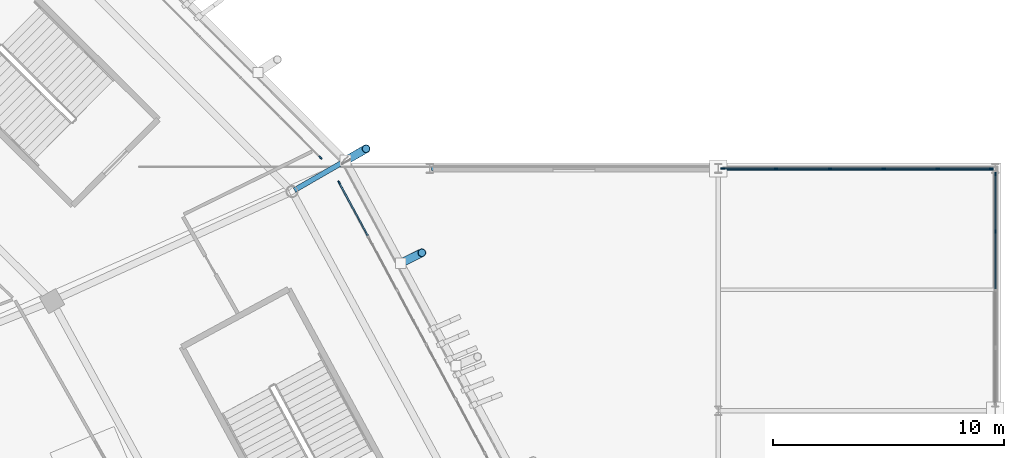
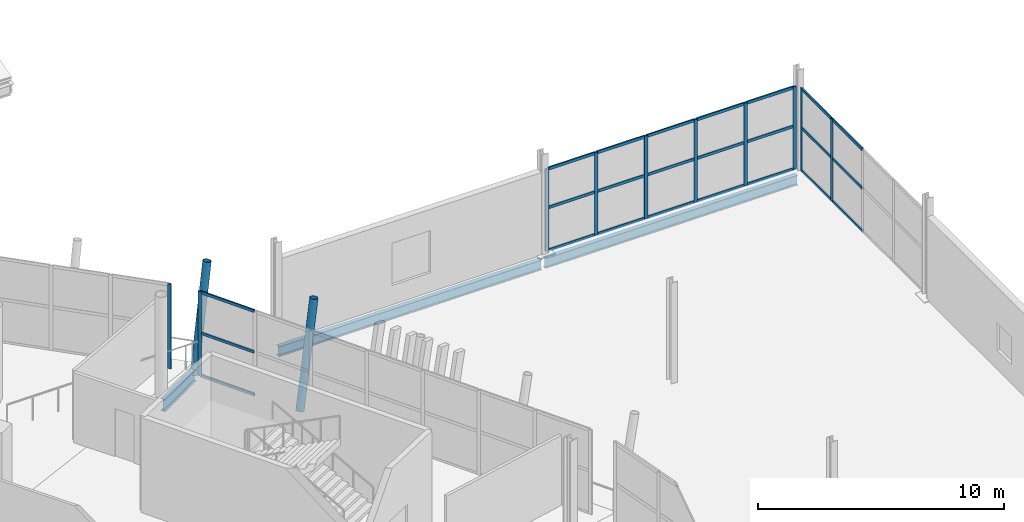
# One storey, part 69 of 179: 36 members, 3 beams, 4 elements without a shape of their own.
"""IFC4 building model written with IfcOpenShell, lengths in metres."""

import ifcopenshell
import ifcopenshell.guid

model = None  # the IFC model being written
_history = None  # IfcOwnerHistory: only IFC2X3 demands one
_inside = {}  # id of a spatial element -> (the spatial element, [elements in it])
_under = {}  # id of a project, library or spatial element -> (it, [spatial elements below it])
_declared = {}  # id of a project -> (the project, [libraries it declares])
_typed = {}  # id of a type object -> (the type object, [elements of that type])
_made_of = {}  # id of a material, layer set ... -> (it, [elements and type objects made of it])


def new_model(schema):
    """Start an empty IFC model of exactly this schema.

    Asked for "IFC4X3", IfcOpenShell would pick the latest addendum, in which some entities
    have other attributes; the version numbers below select the first issue.
    IFC2X3 requires an IfcOwnerHistory on every rooted entity: one is made here for all.
    """
    global model, _history
    if schema == "IFC4X3":
        model = ifcopenshell.file(schema_version=(4, 3, 0, 0))
    else:
        model = ifcopenshell.file(schema=schema)
    _inside.clear()
    _under.clear()
    _declared.clear()
    _typed.clear()
    _made_of.clear()
    _history = None
    if model.schema == "IFC2X3":
        org = make("IfcOrganization", Name="unknown")
        user = make(
            "IfcPersonAndOrganization",
            ThePerson=make("IfcPerson", FamilyName="unknown"),
            TheOrganization=org,
        )
        app = make(
            "IfcApplication",
            ApplicationDeveloper=org,
            Version="unknown",
            ApplicationFullName="unknown",
            ApplicationIdentifier="unknown",
        )
        _history = make(
            "IfcOwnerHistory",
            OwningUser=user,
            OwningApplication=app,
            ChangeAction="ADDED",
            CreationDate=0,
        )
    return model


def make(cls, **values):
    """One entity of the class cls with the attributes given. An attribute that is None is left unset."""
    return model.create_entity(
        cls, **{name: value for name, value in values.items() if value is not None}
    )


def rooted(cls, **values):
    """An entity with a GlobalId (a new one), such as an element, a storey or a relation."""
    return make(cls, GlobalId=ifcopenshell.guid.new(), OwnerHistory=_history, **values)


def si_unit(unit_type, name, prefix=None):
    """IfcSIUnit, for example si_unit("LENGTHUNIT", "METRE", prefix="MILLI")."""
    return make("IfcSIUnit", UnitType=unit_type, Prefix=prefix, Name=name)


def assignment(units):
    """IfcUnitAssignment: the units of a project."""
    return None if units is None else make("IfcUnitAssignment", Units=units)


def point(xyz):
    """IfcCartesianPoint."""
    return None if xyz is None else make("IfcCartesianPoint", Coordinates=xyz)


def direction(xyz):
    """IfcDirection."""
    return None if xyz is None else make("IfcDirection", DirectionRatios=xyz)


def frame(location, z_axis=None, x_axis=None):
    """IfcAxis2Placement3D, a coordinate frame: its origin and axes. An axis left out is left unset."""
    return make(
        "IfcAxis2Placement3D",
        Location=point(location),
        Axis=direction(z_axis),
        RefDirection=direction(x_axis),
    )


def frame_2d(location, x_axis=None):
    """IfcAxis2Placement2D, a coordinate frame in the plane: its origin and x axis."""
    return make(
        "IfcAxis2Placement2D", Location=point(location), RefDirection=direction(x_axis)
    )


def origin():
    """The frame at (0, 0, 0) with its axes left unset."""
    return frame((0.0, 0.0, 0.0))


def origin_2d():
    """The frame at (0, 0) in the plane with its x axis left unset."""
    return frame_2d((0.0, 0.0))


def place(relative_to, where):
    """IfcLocalPlacement: puts the frame where relative to a parent placement (None: the world)."""
    return make(
        "IfcLocalPlacement", PlacementRelTo=relative_to, RelativePlacement=where
    )


def context(
    kind, dimensions, precision=None, world=None, true_north=None, identifier=None
):
    """IfcGeometricRepresentationContext, for example the 3D "Model" context."""
    return make(
        "IfcGeometricRepresentationContext",
        ContextIdentifier=identifier,
        ContextType=kind,
        CoordinateSpaceDimension=dimensions,
        Precision=precision,
        WorldCoordinateSystem=world,
        TrueNorth=true_north,
    )


def subcontext(parent, identifier, kind, view, scale=None):
    """IfcGeometricRepresentationSubContext, for example "Body" below "Model"."""
    return make(
        "IfcGeometricRepresentationSubContext",
        ContextIdentifier=identifier,
        ContextType=kind,
        ParentContext=parent,
        TargetScale=scale,
        TargetView=view,
    )


def project(units=None, contexts=None):
    """IfcProject with its units and contexts."""
    return rooted(
        "IfcProject",
        Name="project",
        RepresentationContexts=contexts,
        UnitsInContext=assignment(units),
    )


def spatial(cls, under=None, at=None, **own):
    """A site, building, storey or space (cls), placed at a placement, below another one or the project."""
    s = rooted(cls, ObjectPlacement=at, **own)
    if under is not None:
        _under.setdefault(under.id(), (under, []))[1].append(s)
    return s


def profile(cls, at=None, kind="AREA", **sizes):
    """A parametric profile (cls). Its sizes go by their IFC names, for example OverallWidth=200.0."""
    return make(cls, ProfileType=kind, Position=at, **sizes)


def rectangle(**sizes):
    """IfcRectangleProfileDef."""
    return profile("IfcRectangleProfileDef", **sizes)


def hollow_circle(**sizes):
    """IfcCircleHollowProfileDef."""
    return profile("IfcCircleHollowProfileDef", **sizes)


def i_section(**sizes):
    """IfcIShapeProfileDef."""
    return profile("IfcIShapeProfileDef", **sizes)


def extrude(swept, where, along, depth):
    """IfcExtrudedAreaSolid: the profile swept, set in the frame where, extruded along a direction by depth."""
    return make(
        "IfcExtrudedAreaSolid",
        SweptArea=swept,
        Position=where,
        ExtrudedDirection=direction(along),
        Depth=depth,
    )


def shape(context_of_items, identifier, shape_type, items):
    """IfcShapeRepresentation: the items that make up one representation, for example the "Body"."""
    return make(
        "IfcShapeRepresentation",
        ContextOfItems=context_of_items,
        RepresentationIdentifier=identifier,
        RepresentationType=shape_type,
        Items=items,
    )


def material(Name=None, Category=None):
    """IfcMaterial."""
    return make("IfcMaterial", Name=Name, Category=Category)


def material_profile(
    of_material, cross_section, Name=None, Category=None, Priority=None
):
    """IfcMaterialProfile: a cross section and its material."""
    return make(
        "IfcMaterialProfile",
        Name=Name,
        Material=of_material,
        Profile=cross_section,
        Priority=Priority,
        Category=Category,
    )


def profile_set(profiles, Name=None, composite=None):
    """IfcMaterialProfileSet."""
    return make(
        "IfcMaterialProfileSet",
        Name=Name,
        MaterialProfiles=profiles,
        CompositeProfile=composite,
    )


def made_of(thing, what):
    """Note that an element or type object is made of a material, layer set ...; save() writes the relation."""
    if what is not None:
        _made_of.setdefault(what.id(), (what, []))[1].append(thing)
    return thing


def type_object(cls, material=None, **own):
    """A type object (cls), such as IfcWallType, which elements share."""
    return made_of(rooted(cls, **own), material)


def element(
    cls,
    number,
    at=None,
    inside=None,
    cuts=None,
    type_object=None,
    material=None,
    context=None,
    identifier="Body",
    shape_type=None,
    held_by="IfcProductDefinitionShape",
    body=None,
    shapes=None,
    **own,
):
    """One element of the class cls, such as IfcWall. Its Tag is "e" and its number.

    at: its placement. inside: the storey or other place that contains it. cuts: it is an
    opening in that element (IfcRelVoidsElement). A single representation is given by context,
    identifier, shape_type and body (its items); several are given by shapes. held_by: the class
    of the entity that holds the representations. save() writes the other relations.
    """
    e = rooted(cls, Tag="e%d" % number, ObjectPlacement=at, **own)
    if body is not None:
        shapes = [shape(context, identifier, shape_type, body)]
    if shapes is not None:
        e.Representation = make(held_by, Representations=shapes)
    if inside is not None:
        _inside.setdefault(inside.id(), (inside, []))[1].append(e)
    if cuts is not None:
        rooted(
            "IfcRelVoidsElement", RelatingBuildingElement=cuts, RelatedOpeningElement=e
        )
    if type_object is not None:
        _typed.setdefault(type_object.id(), (type_object, []))[1].append(e)
    return made_of(e, material)


def aggregate(whole, parts):
    """IfcRelAggregates: a whole, such as a stair, and the parts it consists of."""
    return rooted("IfcRelAggregates", RelatingObject=whole, RelatedObjects=parts)


def save(model, path):
    """Write the relations noted so far, then the file.

    IfcRelAggregates (storeys below a building ...), IfcRelContainedInSpatialStructure (elements
    in a storey), IfcRelDefinesByType, IfcRelAssociatesMaterial and IfcRelDeclares: one each for
    every whole, place, type object, material and project.
    """
    for whole, parts in _under.values():
        aggregate(whole, parts)
    for where, things in _inside.values():
        rooted(
            "IfcRelContainedInSpatialStructure",
            RelatedElements=things,
            RelatingStructure=where,
        )
    for kind, things in _typed.values():
        rooted("IfcRelDefinesByType", RelatedObjects=things, RelatingType=kind)
    for what, things in _made_of.values():
        rooted("IfcRelAssociatesMaterial", RelatedObjects=things, RelatingMaterial=what)
    for by, libraries in _declared.values():
        rooted("IfcRelDeclares", RelatingContext=by, RelatedDefinitions=libraries)
    model.write(path)


model = new_model("IFC4")

# Units and contexts
model_context = context("Model", 3, precision=1e-05, world=origin(), true_north=direction((0.0, 1.0)))
body_context = subcontext(model_context, "Body", "Model", "MODEL_VIEW")
ifc_project = project(units=[si_unit("LENGTHUNIT", "METRE"), si_unit("AREAUNIT", "SQUARE_METRE"), si_unit("VOLUMEUNIT", "CUBIC_METRE"), si_unit("PLANEANGLEUNIT", "RADIAN"), si_unit("MASSUNIT", "GRAM", prefix="KILO")], contexts=[model_context])

# Site, building, storey
site_placement = place(None, origin())
site = spatial("IfcSite", under=ifc_project, at=site_placement, CompositionType="ELEMENT")
building_placement = place(site_placement, origin())
building = spatial("IfcBuilding", under=site, at=building_placement, Name="Zlatoyarsky Gate Stadium", CompositionType="ELEMENT")
storey_placement = place(building_placement, frame((0.0, 0.0, 10.60009765625)))
storey = spatial("IfcBuildingStorey", under=building, at=storey_placement, Name="L02", CompositionType="ELEMENT", Elevation=10.60009765625)

# Curtain wall, member
ifc_material_1 = material(Name="Thermally broken anodised aluminium curtain wall", Category="aluminium")
curtain_wall_type_1 = type_object("IfcCurtainWallType", Name="UNITISED HOSPITALITY GLAZING L02", PredefinedType="USERDEFINED", material=ifc_material_1)
curtain_wall_1_placement = place(storey_placement, origin())
curtain_wall_1 = element("IfcCurtainWall", 1, at=curtain_wall_1_placement, inside=storey, type_object=curtain_wall_type_1, Name="Curtain wall CW-L02-01", ObjectType="UNITISED GLAZING", PredefinedType="USERDEFINED")
ifc_material_2 = material(Name="Anodised aluminium 6063-T6", Category="aluminium")
ifc_material_profile_1 = material_profile(ifc_material_2, rectangle(XDim=0.06494140625, YDim=0.159912109375, at=origin_2d()), Name="ALU 65X160")
ifc_profile_set_1 = profile_set([ifc_material_profile_1], Name="Anodised aluminium 6063-T6")
member_type_1 = type_object("IfcMemberType", Name="ALUMINIUM MULLION 65X160", PredefinedType="MULLION", material=ifc_profile_set_1)
member_1_placement = place(storey_placement, frame((193.575439453125, 115.88720703125, 0.0), z_axis=(0.0, 0.0, 1.0), x_axis=(-0.880235853856, -0.474536449165, 0.0)))
member_1 = element("IfcMember", 2, at=member_1_placement, type_object=member_type_1, Name="CW-UG2 mullion 8", PredefinedType="MULLION", context=body_context, shape_type="SweptSolid", body=[
    extrude(rectangle(XDim=0.06494140625, YDim=0.159912109375, at=origin_2d()), origin(), (0.0, 0.0, 1.0), 4.199951171875),
])

curtain_wall_2_placement = place(storey_placement, origin())
curtain_wall_2 = element("IfcCurtainWall", 3, at=curtain_wall_2_placement, inside=storey, type_object=curtain_wall_type_1, Name="Curtain wall CW-L02-02", ObjectType="UNITISED GLAZING", PredefinedType="USERDEFINED")
member_2_placement = place(storey_placement, frame((192.769287109375, 116.970703125, 0.0), z_axis=(0.0, 0.0, 1.0), x_axis=(-0.707587678066, -0.706625557031, 0.0)))
member_2 = element("IfcMember", 4, at=member_2_placement, type_object=member_type_1, Name="CW-UG2 mullion 1", PredefinedType="MULLION", context=body_context, shape_type="SweptSolid", body=[
    extrude(rectangle(XDim=0.06494140625, YDim=0.159912109375, at=origin_2d()), origin(), (0.0, 0.0, 1.0), 4.199951171875),
])
aggregate(curtain_wall_2, [member_2])

# Curtain wall, members
curtain_wall_type_2 = type_object("IfcCurtainWallType", Name="WINTER GARDEN CONSERVATORY GLAZING", PredefinedType="USERDEFINED", material=ifc_material_1)
curtain_wall_3_placement = place(storey_placement, origin())
curtain_wall_3 = element("IfcCurtainWall", 5, at=curtain_wall_3_placement, inside=storey, type_object=curtain_wall_type_2, Name="Curtain wall CW-V5_EAST-L02-185", ObjectType="UNITISED GLAZING", PredefinedType="USERDEFINED")
member_3_placement = place(storey_placement, frame((222.0, 113.76904296875, 0.0), z_axis=(0.0, 0.0, 1.0), x_axis=(-1.0, 0.0, 0.0)))
member_3 = element("IfcMember", 6, at=member_3_placement, type_object=member_type_1, Name="CW-WG1 mullion 4", PredefinedType="MULLION", context=body_context, shape_type="SweptSolid", body=[
    extrude(rectangle(XDim=0.06494140625, YDim=0.159912109375, at=origin_2d()), origin(), (0.0, 0.0, 1.0), 4.099853515625),
])
member_4_placement = place(storey_placement, frame((222.0, 116.255615234375, 0.0), z_axis=(0.0, 0.0, 1.0), x_axis=(-1.0, 0.0, 0.0)))
member_4 = element("IfcMember", 7, at=member_4_placement, type_object=member_type_1, Name="CW-WG1 mullion 5", PredefinedType="MULLION", context=body_context, shape_type="SweptSolid", body=[
    extrude(rectangle(XDim=0.06494140625, YDim=0.159912109375, at=origin_2d()), origin(), (0.0, 0.0, 1.0), 4.099853515625),
])

curtain_wall_4_placement = place(storey_placement, origin())
curtain_wall_4 = element("IfcCurtainWall", 8, at=curtain_wall_4_placement, inside=storey, type_object=curtain_wall_type_2, Name="Curtain wall CW-V5_EAST-L02-191", ObjectType="UNITISED GLAZING", PredefinedType="USERDEFINED")
member_5_placement = place(storey_placement, frame((210.194580078125, 116.5, 0.0), z_axis=(0.0, 0.0, 1.0), x_axis=(0.0, 1.0, 0.0)))
member_5 = element("IfcMember", 9, at=member_5_placement, type_object=member_type_1, Name="CW-WG1 mullion 1", PredefinedType="MULLION", context=body_context, shape_type="SweptSolid", body=[
    extrude(rectangle(XDim=0.06494140625, YDim=0.159912109375, at=origin_2d()), origin(), (0.0, 0.0, 1.0), 4.099853515625),
])
member_6_placement = place(storey_placement, frame((212.497314453125, 116.5, 0.0), z_axis=(0.0, 0.0, 1.0), x_axis=(0.0, 1.0, 0.0)))
member_6 = element("IfcMember", 10, at=member_6_placement, type_object=member_type_1, Name="CW-WG1 mullion 2", PredefinedType="MULLION", context=body_context, shape_type="SweptSolid", body=[
    extrude(rectangle(XDim=0.06494140625, YDim=0.159912109375, at=origin_2d()), origin(), (0.0, 0.0, 1.0), 4.099853515625),
])
member_7_placement = place(storey_placement, frame((214.83251953125, 116.5, 0.0), z_axis=(0.0, 0.0, 1.0), x_axis=(0.0, 1.0, 0.0)))
member_7 = element("IfcMember", 11, at=member_7_placement, type_object=member_type_1, Name="CW-WG1 mullion 3", PredefinedType="MULLION", context=body_context, shape_type="SweptSolid", body=[
    extrude(rectangle(XDim=0.06494140625, YDim=0.159912109375, at=origin_2d()), origin(), (0.0, 0.0, 1.0), 4.099853515625),
])
member_8_placement = place(storey_placement, frame((217.16748046875, 116.5, 0.0), z_axis=(0.0, 0.0, 1.0), x_axis=(0.0, 1.0, 0.0)))
member_8 = element("IfcMember", 12, at=member_8_placement, type_object=member_type_1, Name="CW-WG1 mullion 4", PredefinedType="MULLION", context=body_context, shape_type="SweptSolid", body=[
    extrude(rectangle(XDim=0.06494140625, YDim=0.159912109375, at=origin_2d()), origin(), (0.0, 0.0, 1.0), 4.099853515625),
])
member_9_placement = place(storey_placement, frame((219.502685546875, 116.5, 0.0), z_axis=(0.0, 0.0, 1.0), x_axis=(0.0, 1.0, 0.0)))
member_9 = element("IfcMember", 13, at=member_9_placement, type_object=member_type_1, Name="CW-WG1 mullion 5", PredefinedType="MULLION", context=body_context, shape_type="SweptSolid", body=[
    extrude(rectangle(XDim=0.06494140625, YDim=0.159912109375, at=origin_2d()), origin(), (0.0, 0.0, 1.0), 4.099853515625),
])
member_10_placement = place(storey_placement, frame((221.805419921875, 116.5, 0.0), z_axis=(0.0, 0.0, 1.0), x_axis=(0.0, 1.0, 0.0)))
member_10 = element("IfcMember", 14, at=member_10_placement, type_object=member_type_1, Name="CW-WG1 mullion 6", PredefinedType="MULLION", context=body_context, shape_type="SweptSolid", body=[
    extrude(rectangle(XDim=0.06494140625, YDim=0.159912109375, at=origin_2d()), origin(), (0.0, 0.0, 1.0), 4.099853515625),
])

# Member
ifc_material_profile_2 = material_profile(ifc_material_2, rectangle(XDim=0.06494140625, YDim=0.139892578125, at=origin_2d()), Name="ALU 65X140")
ifc_profile_set_2 = profile_set([ifc_material_profile_2], Name="Anodised aluminium 6063-T6")
member_type_2 = type_object("IfcMemberType", Name="ALUMINIUM TRANSOM 65X140", PredefinedType="USERDEFINED", material=ifc_profile_set_2)
member_11_placement = place(storey_placement, frame((194.811767578125, 113.593505859375, 0.032470703125), z_axis=(-0.474518480893, 0.880245540341, 0.0), x_axis=(-0.880245540341, -0.474518480893, 0.0)))
member_11 = element("IfcMember", 15, at=member_11_placement, type_object=member_type_2, Name="CW-UG2 transom 7.1", ObjectType="TRANSOM", PredefinedType="USERDEFINED", context=body_context, shape_type="SweptSolid", body=[
    extrude(rectangle(XDim=0.06494140625, YDim=0.139892578125, at=origin_2d()), origin(), (0.0, 0.0, 1.0), 2.572998046875),
])

member_12_placement = place(storey_placement, frame((194.811767578125, 113.593505859375, 2.14990234375), z_axis=(-0.474518480893, 0.880245540341, 0.0), x_axis=(-0.880245540341, -0.474518480893, 0.0)))
member_12 = element("IfcMember", 16, at=member_12_placement, type_object=member_type_2, Name="CW-UG2 transom 7.2", ObjectType="TRANSOM", PredefinedType="USERDEFINED", context=body_context, shape_type="SweptSolid", body=[
    extrude(rectangle(XDim=0.06494140625, YDim=0.139892578125, at=origin_2d()), origin(), (0.0, 0.0, 1.0), 2.572998046875),
])

member_13_placement = place(storey_placement, frame((194.811767578125, 113.593505859375, 4.16748046875), z_axis=(-0.474518480893, 0.880245540341, 0.0), x_axis=(-0.880245540341, -0.474518480893, 0.0)))
member_13 = element("IfcMember", 17, at=member_13_placement, type_object=member_type_2, Name="CW-UG2 transom 7.3", ObjectType="TRANSOM", PredefinedType="USERDEFINED", context=body_context, shape_type="SweptSolid", body=[
    extrude(rectangle(XDim=0.06494140625, YDim=0.139892578125, at=origin_2d()), origin(), (0.0, 0.0, 1.0), 2.572998046875),
])

aggregate(curtain_wall_1, [member_1, member_11, member_12, member_13])

member_14_placement = place(storey_placement, frame((222.0, 111.282470703125, 0.032470703125), z_axis=(0.0, 1.0, 0.0), x_axis=(-1.0, 0.0, 0.0)))
member_14 = element("IfcMember", 18, at=member_14_placement, type_object=member_type_2, Name="CW-WG1 transom 3.1", ObjectType="TRANSOM", PredefinedType="USERDEFINED", context=body_context, shape_type="SweptSolid", body=[
    extrude(rectangle(XDim=0.06494140625, YDim=0.139892578125, at=origin_2d()), origin(), (0.0, 0.0, 1.0), 2.4541015625),
])

member_15_placement = place(storey_placement, frame((222.0, 111.282470703125, 2.14990234375), z_axis=(0.0, 1.0, 0.0), x_axis=(-1.0, 0.0, 0.0)))
member_15 = element("IfcMember", 19, at=member_15_placement, type_object=member_type_2, Name="CW-WG1 transom 3.2", ObjectType="TRANSOM", PredefinedType="USERDEFINED", context=body_context, shape_type="SweptSolid", body=[
    extrude(rectangle(XDim=0.06494140625, YDim=0.139892578125, at=origin_2d()), origin(), (0.0, 0.0, 1.0), 2.4541015625),
])

member_16_placement = place(storey_placement, frame((222.0, 111.282470703125, 4.0673828125), z_axis=(0.0, 1.0, 0.0), x_axis=(-1.0, 0.0, 0.0)))
member_16 = element("IfcMember", 20, at=member_16_placement, type_object=member_type_2, Name="CW-WG1 transom 3.3", ObjectType="TRANSOM", PredefinedType="USERDEFINED", context=body_context, shape_type="SweptSolid", body=[
    extrude(rectangle(XDim=0.06494140625, YDim=0.139892578125, at=origin_2d()), origin(), (0.0, 0.0, 1.0), 2.4541015625),
])

member_17_placement = place(storey_placement, frame((222.0, 113.801513671875, 0.032470703125), z_axis=(0.0, 1.0, 0.0), x_axis=(-1.0, 0.0, 0.0)))
member_17 = element("IfcMember", 21, at=member_17_placement, type_object=member_type_2, Name="CW-WG1 transom 4.1", ObjectType="TRANSOM", PredefinedType="USERDEFINED", context=body_context, shape_type="SweptSolid", body=[
    extrude(rectangle(XDim=0.06494140625, YDim=0.139892578125, at=origin_2d()), origin(), (0.0, 0.0, 1.0), 2.42138671875),
])

member_18_placement = place(storey_placement, frame((222.0, 113.801513671875, 2.14990234375), z_axis=(0.0, 1.0, 0.0), x_axis=(-1.0, 0.0, 0.0)))
member_18 = element("IfcMember", 22, at=member_18_placement, type_object=member_type_2, Name="CW-WG1 transom 4.2", ObjectType="TRANSOM", PredefinedType="USERDEFINED", context=body_context, shape_type="SweptSolid", body=[
    extrude(rectangle(XDim=0.06494140625, YDim=0.139892578125, at=origin_2d()), origin(), (0.0, 0.0, 1.0), 2.42138671875),
])

member_19_placement = place(storey_placement, frame((222.0, 113.801513671875, 4.0673828125), z_axis=(0.0, 1.0, 0.0), x_axis=(-1.0, 0.0, 0.0)))
member_19 = element("IfcMember", 23, at=member_19_placement, type_object=member_type_2, Name="CW-WG1 transom 4.3", ObjectType="TRANSOM", PredefinedType="USERDEFINED", context=body_context, shape_type="SweptSolid", body=[
    extrude(rectangle(XDim=0.06494140625, YDim=0.139892578125, at=origin_2d()), origin(), (0.0, 0.0, 1.0), 2.42138671875),
])

aggregate(curtain_wall_3, [member_3, member_4, member_14, member_15, member_16, member_17, member_18, member_19])

member_20_placement = place(storey_placement, frame((210.22705078125, 116.5, 0.032470703125), z_axis=(1.0, 0.0, 0.0), x_axis=(0.0, 1.0, 0.0)))
member_20 = element("IfcMember", 24, at=member_20_placement, type_object=member_type_2, Name="CW-WG1 transom 1.1", ObjectType="TRANSOM", PredefinedType="USERDEFINED", context=body_context, shape_type="SweptSolid", body=[
    extrude(rectangle(XDim=0.06494140625, YDim=0.139892578125, at=origin_2d()), origin(), (0.0, 0.0, 1.0), 2.237548828125),
])

member_21_placement = place(storey_placement, frame((210.22705078125, 116.5, 2.14990234375), z_axis=(1.0, 0.0, 0.0), x_axis=(0.0, 1.0, 0.0)))
member_21 = element("IfcMember", 25, at=member_21_placement, type_object=member_type_2, Name="CW-WG1 transom 1.2", ObjectType="TRANSOM", PredefinedType="USERDEFINED", context=body_context, shape_type="SweptSolid", body=[
    extrude(rectangle(XDim=0.06494140625, YDim=0.139892578125, at=origin_2d()), origin(), (0.0, 0.0, 1.0), 2.237548828125),
])

member_22_placement = place(storey_placement, frame((210.22705078125, 116.5, 4.0673828125), z_axis=(1.0, 0.0, 0.0), x_axis=(0.0, 1.0, 0.0)))
member_22 = element("IfcMember", 26, at=member_22_placement, type_object=member_type_2, Name="CW-WG1 transom 1.3", ObjectType="TRANSOM", PredefinedType="USERDEFINED", context=body_context, shape_type="SweptSolid", body=[
    extrude(rectangle(XDim=0.06494140625, YDim=0.139892578125, at=origin_2d()), origin(), (0.0, 0.0, 1.0), 2.237548828125),
])

member_23_placement = place(storey_placement, frame((212.52978515625, 116.5, 0.032470703125), z_axis=(1.0, 0.0, 0.0), x_axis=(0.0, 1.0, 0.0)))
member_23 = element("IfcMember", 27, at=member_23_placement, type_object=member_type_2, Name="CW-WG1 transom 2.1", ObjectType="TRANSOM", PredefinedType="USERDEFINED", context=body_context, shape_type="SweptSolid", body=[
    extrude(rectangle(XDim=0.06494140625, YDim=0.139892578125, at=origin_2d()), origin(), (0.0, 0.0, 1.0), 2.27001953125),
])

member_24_placement = place(storey_placement, frame((212.52978515625, 116.5, 2.14990234375), z_axis=(1.0, 0.0, 0.0), x_axis=(0.0, 1.0, 0.0)))
member_24 = element("IfcMember", 28, at=member_24_placement, type_object=member_type_2, Name="CW-WG1 transom 2.2", ObjectType="TRANSOM", PredefinedType="USERDEFINED", context=body_context, shape_type="SweptSolid", body=[
    extrude(rectangle(XDim=0.06494140625, YDim=0.139892578125, at=origin_2d()), origin(), (0.0, 0.0, 1.0), 2.27001953125),
])

member_25_placement = place(storey_placement, frame((212.52978515625, 116.5, 4.0673828125), z_axis=(1.0, 0.0, 0.0), x_axis=(0.0, 1.0, 0.0)))
member_25 = element("IfcMember", 29, at=member_25_placement, type_object=member_type_2, Name="CW-WG1 transom 2.3", ObjectType="TRANSOM", PredefinedType="USERDEFINED", context=body_context, shape_type="SweptSolid", body=[
    extrude(rectangle(XDim=0.06494140625, YDim=0.139892578125, at=origin_2d()), origin(), (0.0, 0.0, 1.0), 2.27001953125),
])

member_26_placement = place(storey_placement, frame((214.864990234375, 116.5, 0.032470703125), z_axis=(1.0, 0.0, 0.0), x_axis=(0.0, 1.0, 0.0)))
member_26 = element("IfcMember", 30, at=member_26_placement, type_object=member_type_2, Name="CW-WG1 transom 3.1", ObjectType="TRANSOM", PredefinedType="USERDEFINED", context=body_context, shape_type="SweptSolid", body=[
    extrude(rectangle(XDim=0.06494140625, YDim=0.139892578125, at=origin_2d()), origin(), (0.0, 0.0, 1.0), 2.27001953125),
])

member_27_placement = place(storey_placement, frame((214.864990234375, 116.5, 2.14990234375), z_axis=(1.0, 0.0, 0.0), x_axis=(0.0, 1.0, 0.0)))
member_27 = element("IfcMember", 31, at=member_27_placement, type_object=member_type_2, Name="CW-WG1 transom 3.2", ObjectType="TRANSOM", PredefinedType="USERDEFINED", context=body_context, shape_type="SweptSolid", body=[
    extrude(rectangle(XDim=0.06494140625, YDim=0.139892578125, at=origin_2d()), origin(), (0.0, 0.0, 1.0), 2.27001953125),
])

member_28_placement = place(storey_placement, frame((214.864990234375, 116.5, 4.0673828125), z_axis=(1.0, 0.0, 0.0), x_axis=(0.0, 1.0, 0.0)))
member_28 = element("IfcMember", 32, at=member_28_placement, type_object=member_type_2, Name="CW-WG1 transom 3.3", ObjectType="TRANSOM", PredefinedType="USERDEFINED", context=body_context, shape_type="SweptSolid", body=[
    extrude(rectangle(XDim=0.06494140625, YDim=0.139892578125, at=origin_2d()), origin(), (0.0, 0.0, 1.0), 2.27001953125),
])

member_29_placement = place(storey_placement, frame((217.2001953125, 116.5, 0.032470703125), z_axis=(1.0, 0.0, 0.0), x_axis=(0.0, 1.0, 0.0)))
member_29 = element("IfcMember", 33, at=member_29_placement, type_object=member_type_2, Name="CW-WG1 transom 4.1", ObjectType="TRANSOM", PredefinedType="USERDEFINED", context=body_context, shape_type="SweptSolid", body=[
    extrude(rectangle(XDim=0.06494140625, YDim=0.139892578125, at=origin_2d()), origin(), (0.0, 0.0, 1.0), 2.27001953125),
])

member_30_placement = place(storey_placement, frame((217.2001953125, 116.5, 2.14990234375), z_axis=(1.0, 0.0, 0.0), x_axis=(0.0, 1.0, 0.0)))
member_30 = element("IfcMember", 34, at=member_30_placement, type_object=member_type_2, Name="CW-WG1 transom 4.2", ObjectType="TRANSOM", PredefinedType="USERDEFINED", context=body_context, shape_type="SweptSolid", body=[
    extrude(rectangle(XDim=0.06494140625, YDim=0.139892578125, at=origin_2d()), origin(), (0.0, 0.0, 1.0), 2.27001953125),
])

member_31_placement = place(storey_placement, frame((217.2001953125, 116.5, 4.0673828125), z_axis=(1.0, 0.0, 0.0), x_axis=(0.0, 1.0, 0.0)))
member_31 = element("IfcMember", 35, at=member_31_placement, type_object=member_type_2, Name="CW-WG1 transom 4.3", ObjectType="TRANSOM", PredefinedType="USERDEFINED", context=body_context, shape_type="SweptSolid", body=[
    extrude(rectangle(XDim=0.06494140625, YDim=0.139892578125, at=origin_2d()), origin(), (0.0, 0.0, 1.0), 2.27001953125),
])

member_32_placement = place(storey_placement, frame((219.535400390625, 116.5, 0.032470703125), z_axis=(1.0, 0.0, 0.0), x_axis=(0.0, 1.0, 0.0)))
member_32 = element("IfcMember", 36, at=member_32_placement, type_object=member_type_2, Name="CW-WG1 transom 5.1", ObjectType="TRANSOM", PredefinedType="USERDEFINED", context=body_context, shape_type="SweptSolid", body=[
    extrude(rectangle(XDim=0.06494140625, YDim=0.139892578125, at=origin_2d()), origin(), (0.0, 0.0, 1.0), 2.237548828125),
])

member_33_placement = place(storey_placement, frame((219.535400390625, 116.5, 2.14990234375), z_axis=(1.0, 0.0, 0.0), x_axis=(0.0, 1.0, 0.0)))
member_33 = element("IfcMember", 37, at=member_33_placement, type_object=member_type_2, Name="CW-WG1 transom 5.2", ObjectType="TRANSOM", PredefinedType="USERDEFINED", context=body_context, shape_type="SweptSolid", body=[
    extrude(rectangle(XDim=0.06494140625, YDim=0.139892578125, at=origin_2d()), origin(), (0.0, 0.0, 1.0), 2.237548828125),
])

member_34_placement = place(storey_placement, frame((219.535400390625, 116.5, 4.0673828125), z_axis=(1.0, 0.0, 0.0), x_axis=(0.0, 1.0, 0.0)))
member_34 = element("IfcMember", 38, at=member_34_placement, type_object=member_type_2, Name="CW-WG1 transom 5.3", ObjectType="TRANSOM", PredefinedType="USERDEFINED", context=body_context, shape_type="SweptSolid", body=[
    extrude(rectangle(XDim=0.06494140625, YDim=0.139892578125, at=origin_2d()), origin(), (0.0, 0.0, 1.0), 2.237548828125),
])

aggregate(curtain_wall_4, [member_5, member_6, member_7, member_8, member_9, member_10, member_20, member_21, member_22, member_23, member_24, member_25, member_26, member_27, member_28, member_29, member_30, member_31, member_32, member_33, member_34])

# Beams
ifc_material_3 = material(Name="Steel S355", Category="steel")
ifc_material_profile_3 = material_profile(ifc_material_3, i_section(OverallWidth=0.219970703125, OverallDepth=0.60009765625, WebThickness=0.011962890625, FlangeThickness=0.01904296875, FilletRadius=0.02392578125, at=origin_2d()), Name="IPE 600")
ifc_profile_set_3 = profile_set([ifc_material_profile_3], Name="Steel S355")
beam_type_1 = type_object("IfcBeamType", Name="STEEL CANTILEVER FLOOR BEAM IPE 600", PredefinedType="BEAM", material=ifc_profile_set_3)
beam_1_placement = place(storey_placement, frame((191.644287109375, 115.56005859375, -0.580078125), z_axis=(0.866059933153, 0.49994018861, 0.0), x_axis=(-0.49994018861, 0.866059933153, 0.0)))
element("IfcBeam", 39, at=beam_1_placement, inside=storey, type_object=beam_type_1, Name="Beam B-IPE600 BM-L02-OUT-02", PredefinedType="BEAM", context=body_context, shape_type="SweptSolid", body=[
    extrude(i_section(OverallWidth=0.219970703125, OverallDepth=0.60009765625, WebThickness=0.011962890625, FlangeThickness=0.01904296875, FilletRadius=0.02392578125, at=origin_2d()), origin(), (0.0, 0.0, 1.0), 2.555908203125),
])
ifc_material_profile_4 = material_profile(ifc_material_3, i_section(OverallWidth=0.199951171875, OverallDepth=0.5, WebThickness=0.01025390625, FlangeThickness=0.01611328125, FilletRadius=0.02099609375, at=origin_2d()), Name="IPE 500")
ifc_profile_set_4 = profile_set([ifc_material_profile_4], Name="Steel S355")
beam_type_2 = type_object("IfcBeamType", Name="STEEL FLOOR BEAM IPE 500", PredefinedType="BEAM", material=ifc_profile_set_4)
beam_2_placement = place(storey_placement, frame((197.580078125, 116.5, -0.530029296875), z_axis=(1.0, 0.0, 0.0), x_axis=(0.0, 1.0, 0.0)))
element("IfcBeam", 40, at=beam_2_placement, inside=storey, type_object=beam_type_2, Name="Beam B-IPE500 BM-L02-WGX-17-L", PredefinedType="BEAM", context=body_context, shape_type="SweptSolid", body=[
    extrude(i_section(OverallWidth=0.199951171875, OverallDepth=0.5, WebThickness=0.01025390625, FlangeThickness=0.01611328125, FilletRadius=0.02099609375, at=origin_2d()), origin(), (0.0, 0.0, 1.0), 12.33984375),
])
beam_3_placement = place(storey_placement, frame((210.080078125, 116.5, -0.530029296875), z_axis=(1.0, 0.0, 0.0), x_axis=(0.0, 1.0, 0.0)))
element("IfcBeam", 41, at=beam_3_placement, inside=storey, type_object=beam_type_2, Name="Beam B-IPE500 BM-L02-WGX-18-L", PredefinedType="BEAM", context=body_context, shape_type="SweptSolid", body=[
    extrude(i_section(OverallWidth=0.199951171875, OverallDepth=0.5, WebThickness=0.01025390625, FlangeThickness=0.01611328125, FilletRadius=0.02099609375, at=origin_2d()), origin(), (0.0, 0.0, 1.0), 11.83984375),
])

# Members
ifc_material_profile_5 = material_profile(ifc_material_3, hollow_circle(Radius=0.177734375, WallThickness=0.02001953125, at=origin_2d()), Name="CHS 355.6X20")
ifc_profile_set_5 = profile_set([ifc_material_profile_5], Name="Steel S355")
member_type_3 = type_object("IfcMemberType", Name="STEEL LEANING RIB RING STRUT CHS 355.6X20", PredefinedType="STRUT", material=ifc_profile_set_5)
member_35_placement = place(storey_placement, frame((193.85791015625, 116.837890625, -0.580078125), z_axis=(0.174105212387, 0.100540977043, 0.97958097519), x_axis=(-0.500079402778, 0.865979555715, 0.0)))
element("IfcMember", 42, at=member_35_placement, inside=storey, type_object=member_type_3, Name="Leaning ring strut 02 L02 to L03", PredefinedType="STRUT", context=body_context, shape_type="SweptSolid", body=[
    extrude(hollow_circle(Radius=0.177734375, WallThickness=0.02001953125, at=origin_2d()), origin(), (0.0, 0.0, 1.0), 5.104248046875),
])
member_36_placement = place(storey_placement, frame((196.247314453125, 112.3955078125, -0.530029296875), z_axis=(0.179173431046, 0.088462396263, 0.97983227445), x_axis=(-0.442706642352, 0.896666509254, 0.0)))
element("IfcMember", 43, at=member_36_placement, inside=storey, type_object=member_type_3, Name="Outward-leaning bowl louvre fin rib L02 01-3", PredefinedType="STRUT", context=body_context, shape_type="SweptSolid", body=[
    extrude(hollow_circle(Radius=0.177734375, WallThickness=0.02001953125, at=origin_2d()), origin(), (0.0, 0.0, 1.0), 5.10302734375),
])

save(model, "model.ifc")
